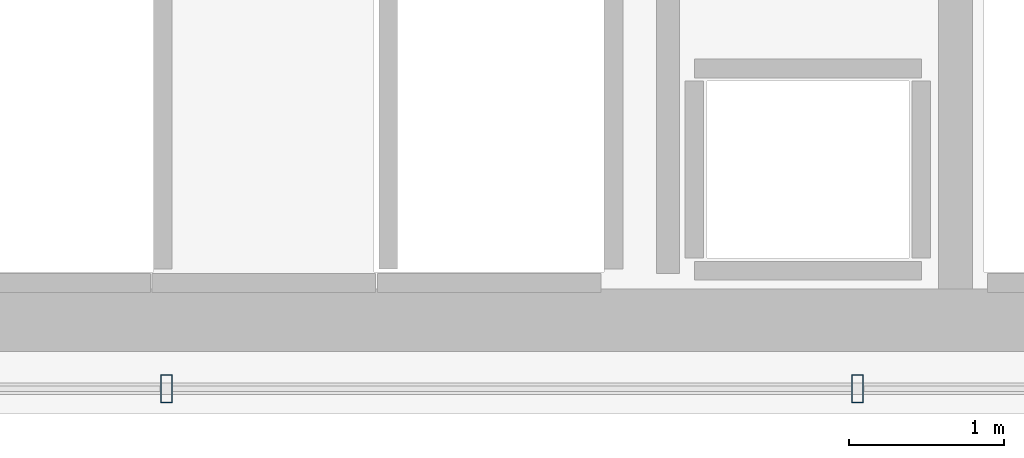
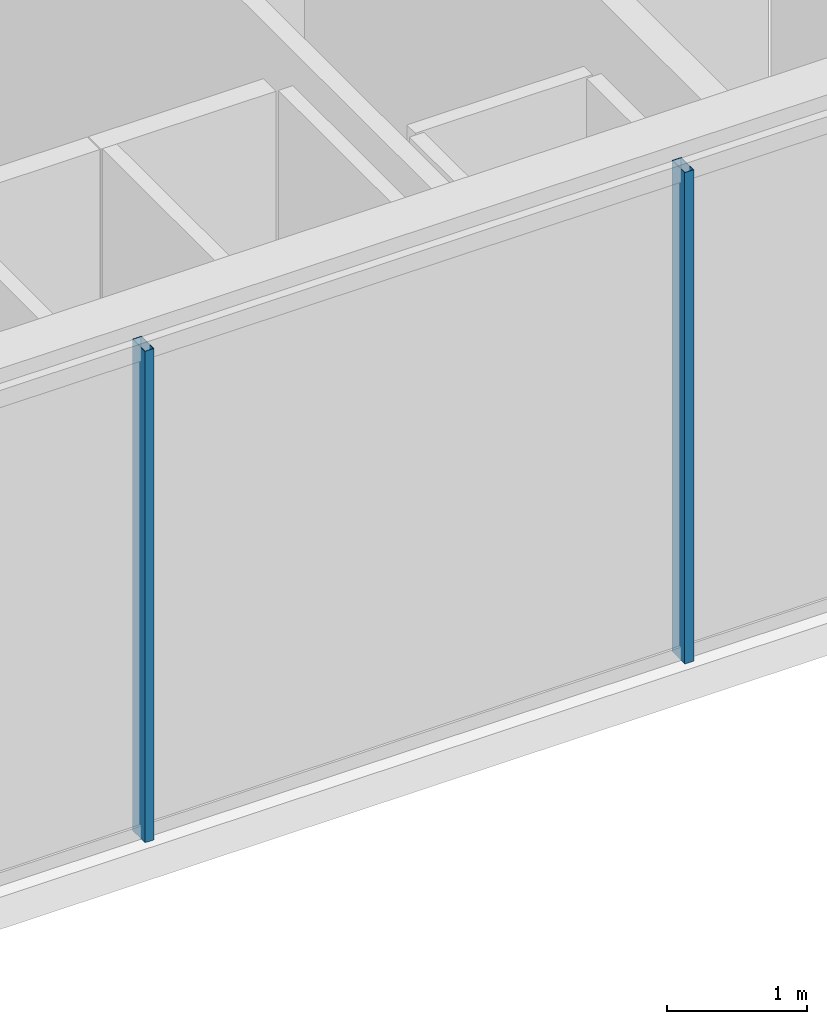
# One storey, part 10 of 32: 2 members, 1 element without a shape of its own.
"""IFC4 building model written with IfcOpenShell, lengths in metres."""

import ifcopenshell
import ifcopenshell.guid

model = None  # the IFC model being written
_history = None  # IfcOwnerHistory: only IFC2X3 demands one
_inside = {}  # id of a spatial element -> (the spatial element, [elements in it])
_under = {}  # id of a project, library or spatial element -> (it, [spatial elements below it])
_declared = {}  # id of a project -> (the project, [libraries it declares])
_typed = {}  # id of a type object -> (the type object, [elements of that type])
_made_of = {}  # id of a material, layer set ... -> (it, [elements and type objects made of it])


def new_model(schema):
    """Start an empty IFC model of exactly this schema.

    Asked for "IFC4X3", IfcOpenShell would pick the latest addendum, in which some entities
    have other attributes; the version numbers below select the first issue.
    IFC2X3 requires an IfcOwnerHistory on every rooted entity: one is made here for all.
    """
    global model, _history
    if schema == "IFC4X3":
        model = ifcopenshell.file(schema_version=(4, 3, 0, 0))
    else:
        model = ifcopenshell.file(schema=schema)
    _inside.clear()
    _under.clear()
    _declared.clear()
    _typed.clear()
    _made_of.clear()
    _history = None
    if model.schema == "IFC2X3":
        org = make("IfcOrganization", Name="unknown")
        user = make(
            "IfcPersonAndOrganization",
            ThePerson=make("IfcPerson", FamilyName="unknown"),
            TheOrganization=org,
        )
        app = make(
            "IfcApplication",
            ApplicationDeveloper=org,
            Version="unknown",
            ApplicationFullName="unknown",
            ApplicationIdentifier="unknown",
        )
        _history = make(
            "IfcOwnerHistory",
            OwningUser=user,
            OwningApplication=app,
            ChangeAction="ADDED",
            CreationDate=0,
        )
    return model


def make(cls, **values):
    """One entity of the class cls with the attributes given. An attribute that is None is left unset."""
    return model.create_entity(
        cls, **{name: value for name, value in values.items() if value is not None}
    )


def rooted(cls, **values):
    """An entity with a GlobalId (a new one), such as an element, a storey or a relation."""
    return make(cls, GlobalId=ifcopenshell.guid.new(), OwnerHistory=_history, **values)


def si_unit(unit_type, name, prefix=None):
    """IfcSIUnit, for example si_unit("LENGTHUNIT", "METRE", prefix="MILLI")."""
    return make("IfcSIUnit", UnitType=unit_type, Prefix=prefix, Name=name)


def assignment(units):
    """IfcUnitAssignment: the units of a project."""
    return None if units is None else make("IfcUnitAssignment", Units=units)


def point(xyz):
    """IfcCartesianPoint."""
    return None if xyz is None else make("IfcCartesianPoint", Coordinates=xyz)


def direction(xyz):
    """IfcDirection."""
    return None if xyz is None else make("IfcDirection", DirectionRatios=xyz)


def frame(location, z_axis=None, x_axis=None):
    """IfcAxis2Placement3D, a coordinate frame: its origin and axes. An axis left out is left unset."""
    return make(
        "IfcAxis2Placement3D",
        Location=point(location),
        Axis=direction(z_axis),
        RefDirection=direction(x_axis),
    )


def frame_2d(location, x_axis=None):
    """IfcAxis2Placement2D, a coordinate frame in the plane: its origin and x axis."""
    return make(
        "IfcAxis2Placement2D", Location=point(location), RefDirection=direction(x_axis)
    )


def origin():
    """The frame at (0, 0, 0) with its axes left unset."""
    return frame((0.0, 0.0, 0.0))


def origin_2d():
    """The frame at (0, 0) in the plane with its x axis left unset."""
    return frame_2d((0.0, 0.0))


def place(relative_to, where):
    """IfcLocalPlacement: puts the frame where relative to a parent placement (None: the world)."""
    return make(
        "IfcLocalPlacement", PlacementRelTo=relative_to, RelativePlacement=where
    )


def context(
    kind, dimensions, precision=None, world=None, true_north=None, identifier=None
):
    """IfcGeometricRepresentationContext, for example the 3D "Model" context."""
    return make(
        "IfcGeometricRepresentationContext",
        ContextIdentifier=identifier,
        ContextType=kind,
        CoordinateSpaceDimension=dimensions,
        Precision=precision,
        WorldCoordinateSystem=world,
        TrueNorth=true_north,
    )


def subcontext(parent, identifier, kind, view, scale=None):
    """IfcGeometricRepresentationSubContext, for example "Body" below "Model"."""
    return make(
        "IfcGeometricRepresentationSubContext",
        ContextIdentifier=identifier,
        ContextType=kind,
        ParentContext=parent,
        TargetScale=scale,
        TargetView=view,
    )


def project(units=None, contexts=None):
    """IfcProject with its units and contexts."""
    return rooted(
        "IfcProject",
        Name="project",
        RepresentationContexts=contexts,
        UnitsInContext=assignment(units),
    )


def spatial(cls, under=None, at=None, **own):
    """A site, building, storey or space (cls), placed at a placement, below another one or the project."""
    s = rooted(cls, ObjectPlacement=at, **own)
    if under is not None:
        _under.setdefault(under.id(), (under, []))[1].append(s)
    return s


def profile(cls, at=None, kind="AREA", **sizes):
    """A parametric profile (cls). Its sizes go by their IFC names, for example OverallWidth=200.0."""
    return make(cls, ProfileType=kind, Position=at, **sizes)


def hollow_rectangle(**sizes):
    """IfcRectangleHollowProfileDef."""
    return profile("IfcRectangleHollowProfileDef", **sizes)


def extrude(swept, where, along, depth):
    """IfcExtrudedAreaSolid: the profile swept, set in the frame where, extruded along a direction by depth."""
    return make(
        "IfcExtrudedAreaSolid",
        SweptArea=swept,
        Position=where,
        ExtrudedDirection=direction(along),
        Depth=depth,
    )


def shape(context_of_items, identifier, shape_type, items):
    """IfcShapeRepresentation: the items that make up one representation, for example the "Body"."""
    return make(
        "IfcShapeRepresentation",
        ContextOfItems=context_of_items,
        RepresentationIdentifier=identifier,
        RepresentationType=shape_type,
        Items=items,
    )


def material(Name=None, Category=None):
    """IfcMaterial."""
    return make("IfcMaterial", Name=Name, Category=Category)


def layer(
    of_material, thickness, ventilated=None, Name=None, Category=None, Priority=None
):
    """IfcMaterialLayer: one layer of a wall or slab, of a material (None: an air gap)."""
    return make(
        "IfcMaterialLayer",
        Material=of_material,
        LayerThickness=thickness,
        IsVentilated=ventilated,
        Name=Name,
        Category=Category,
        Priority=Priority,
    )


def layer_set(layers, Name=None):
    """IfcMaterialLayerSet."""
    return make("IfcMaterialLayerSet", MaterialLayers=layers, LayerSetName=Name)


def material_profile(
    of_material, cross_section, Name=None, Category=None, Priority=None
):
    """IfcMaterialProfile: a cross section and its material."""
    return make(
        "IfcMaterialProfile",
        Name=Name,
        Material=of_material,
        Profile=cross_section,
        Priority=Priority,
        Category=Category,
    )


def profile_set(profiles, Name=None, composite=None):
    """IfcMaterialProfileSet."""
    return make(
        "IfcMaterialProfileSet",
        Name=Name,
        MaterialProfiles=profiles,
        CompositeProfile=composite,
    )


def made_of(thing, what):
    """Note that an element or type object is made of a material, layer set ...; save() writes the relation."""
    if what is not None:
        _made_of.setdefault(what.id(), (what, []))[1].append(thing)
    return thing


def type_object(cls, material=None, **own):
    """A type object (cls), such as IfcWallType, which elements share."""
    return made_of(rooted(cls, **own), material)


def element(
    cls,
    number,
    at=None,
    inside=None,
    cuts=None,
    type_object=None,
    material=None,
    context=None,
    identifier="Body",
    shape_type=None,
    held_by="IfcProductDefinitionShape",
    body=None,
    shapes=None,
    **own,
):
    """One element of the class cls, such as IfcWall. Its Tag is "e" and its number.

    at: its placement. inside: the storey or other place that contains it. cuts: it is an
    opening in that element (IfcRelVoidsElement). A single representation is given by context,
    identifier, shape_type and body (its items); several are given by shapes. held_by: the class
    of the entity that holds the representations. save() writes the other relations.
    """
    e = rooted(cls, Tag="e%d" % number, ObjectPlacement=at, **own)
    if body is not None:
        shapes = [shape(context, identifier, shape_type, body)]
    if shapes is not None:
        e.Representation = make(held_by, Representations=shapes)
    if inside is not None:
        _inside.setdefault(inside.id(), (inside, []))[1].append(e)
    if cuts is not None:
        rooted(
            "IfcRelVoidsElement", RelatingBuildingElement=cuts, RelatedOpeningElement=e
        )
    if type_object is not None:
        _typed.setdefault(type_object.id(), (type_object, []))[1].append(e)
    return made_of(e, material)


def aggregate(whole, parts):
    """IfcRelAggregates: a whole, such as a stair, and the parts it consists of."""
    return rooted("IfcRelAggregates", RelatingObject=whole, RelatedObjects=parts)


def save(model, path):
    """Write the relations noted so far, then the file.

    IfcRelAggregates (storeys below a building ...), IfcRelContainedInSpatialStructure (elements
    in a storey), IfcRelDefinesByType, IfcRelAssociatesMaterial and IfcRelDeclares: one each for
    every whole, place, type object, material and project.
    """
    for whole, parts in _under.values():
        aggregate(whole, parts)
    for where, things in _inside.values():
        rooted(
            "IfcRelContainedInSpatialStructure",
            RelatedElements=things,
            RelatingStructure=where,
        )
    for kind, things in _typed.values():
        rooted("IfcRelDefinesByType", RelatedObjects=things, RelatingType=kind)
    for what, things in _made_of.values():
        rooted("IfcRelAssociatesMaterial", RelatedObjects=things, RelatingMaterial=what)
    for by, libraries in _declared.values():
        rooted("IfcRelDeclares", RelatingContext=by, RelatedDefinitions=libraries)
    model.write(path)


model = new_model("IFC4")

# Units and contexts
model_context = context("Model", 3, precision=1e-05, world=origin(), true_north=direction((0.0, 1.0)))
body_context = subcontext(model_context, "Body", "Model", "MODEL_VIEW")
ifc_project = project(units=[si_unit("LENGTHUNIT", "METRE"), si_unit("AREAUNIT", "SQUARE_METRE"), si_unit("VOLUMEUNIT", "CUBIC_METRE"), si_unit("PLANEANGLEUNIT", "RADIAN"), si_unit("MASSUNIT", "GRAM", prefix="KILO")], contexts=[model_context])

# Site, building, storey
site_placement = place(None, origin())
site = spatial("IfcSite", under=ifc_project, at=site_placement, CompositionType="ELEMENT")
building_placement = place(site_placement, origin())
building = spatial("IfcBuilding", under=site, at=building_placement, Name="Ndaravel Arena Tower", CompositionType="ELEMENT")
storey_placement = place(building_placement, frame((0.0, 0.0, 278.800048828125)))
storey = spatial("IfcBuildingStorey", under=building, at=storey_placement, Name="L68", CompositionType="ELEMENT", Elevation=278.800048828125)

# Curtain wall, members
ifc_material_1 = material(Name="Aluminium", Category="aluminium")
ifc_layer = layer(ifc_material_1, 0.179931640625)
ifc_layer_set = layer_set([ifc_layer], Name="Aluminium")
curtain_wall_type = type_object("IfcCurtainWallType", Name="CW-SYS-03", PredefinedType="NOTDEFINED", material=ifc_layer_set)
curtain_wall_placement = place(storey_placement, origin())
curtain_wall = element("IfcCurtainWall", 1, at=curtain_wall_placement, inside=storey, type_object=curtain_wall_type, Name="L68 Faceted Crystal Curtain Wall CW-L68-E01", PredefinedType="NOTDEFINED")
ifc_material_2 = material(Name="Aluminium", Category="aluminium")
ifc_material_profile = material_profile(ifc_material_2, hollow_rectangle(XDim=0.074951171875, YDim=0.179931640625, WallThickness=0.00390625, at=origin_2d()), Name="CW MULLION 75x180x4")
ifc_profile_set = profile_set([ifc_material_profile], Name="Aluminium")
member_type = type_object("IfcMemberType", Name="MEM-CW-MUL180", PredefinedType="MULLION", material=ifc_profile_set)
member_1_placement = place(storey_placement, frame((44.223388671875, 5.159912109375, 0.0), z_axis=(0.0, 0.0, 1.0), x_axis=(1.0, 0.0, 0.0)))
member_1 = element("IfcMember", 2, at=member_1_placement, type_object=member_type, Name="CW-L68-E01 Mullion 05", PredefinedType="MULLION", context=body_context, shape_type="SweptSolid", body=[
    extrude(hollow_rectangle(XDim=0.074951171875, YDim=0.179931640625, WallThickness=0.00390625, at=origin_2d()), origin(), (0.0, 0.0, 1.0), 4.280029296875),
])
member_2_placement = place(storey_placement, frame((48.67041015625, 5.159912109375, 0.0), z_axis=(0.0, 0.0, 1.0), x_axis=(1.0, 0.0, 0.0)))
member_2 = element("IfcMember", 3, at=member_2_placement, type_object=member_type, Name="CW-L68-E01 Mullion 06", PredefinedType="MULLION", context=body_context, shape_type="SweptSolid", body=[
    extrude(hollow_rectangle(XDim=0.074951171875, YDim=0.179931640625, WallThickness=0.00390625, at=origin_2d()), origin(), (0.0, 0.0, 1.0), 4.280029296875),
])
aggregate(curtain_wall, [member_1, member_2])

save(model, "model.ifc")
